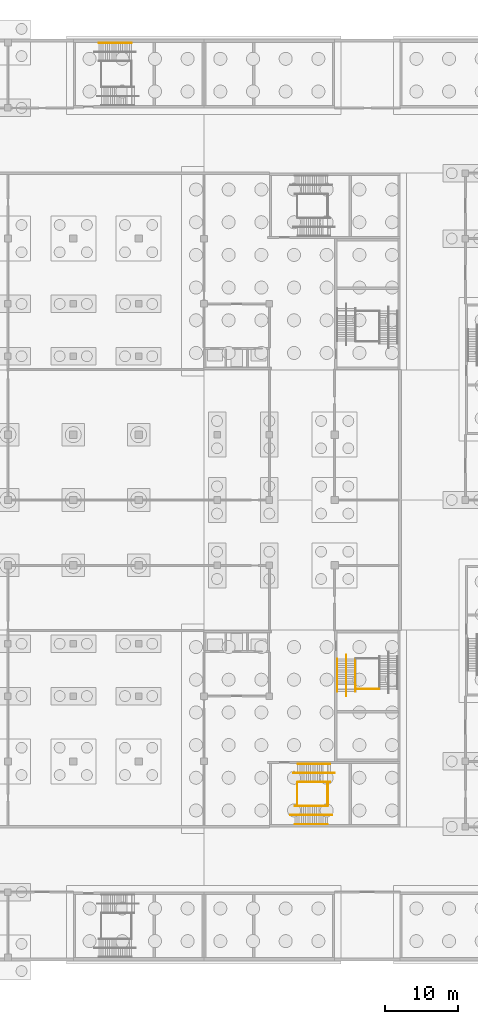
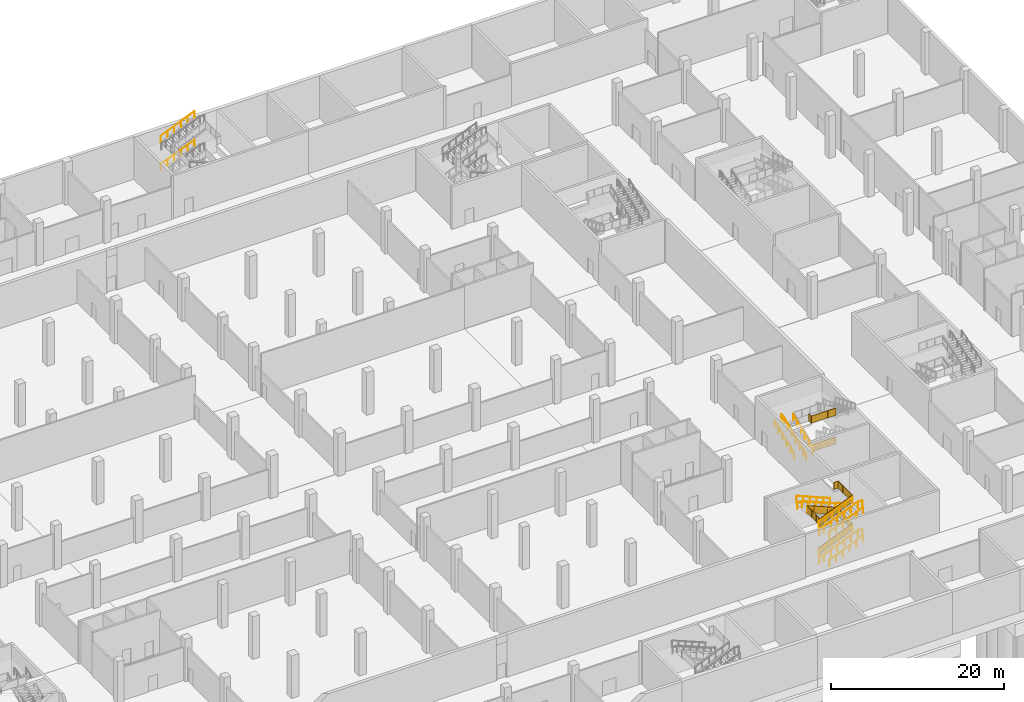
# One storey, part 35 of 42: 22 railings.
"""IFC4 building model written with IfcOpenShell, lengths in metres."""

from ifc_helpers import new_model, si_unit, direction, frame, origin, origin_2d, place, context, subcontext, project, spatial, polyline, circle, outline, extrude, material, type_object, element, save


model = new_model("IFC4")

# Units and contexts
model_context = context("Model", 3, precision=1e-05, world=origin(), true_north=direction((0.0, 1.0)))
body_context = subcontext(model_context, "Body", "Model", "MODEL_VIEW")
ifc_project = project(units=[si_unit("LENGTHUNIT", "METRE"), si_unit("AREAUNIT", "SQUARE_METRE"), si_unit("VOLUMEUNIT", "CUBIC_METRE"), si_unit("PLANEANGLEUNIT", "RADIAN"), si_unit("MASSUNIT", "GRAM", prefix="KILO")], contexts=[model_context])

# Site, building, storey
site_placement = place(None, origin())
site = spatial("IfcSite", under=ifc_project, at=site_placement, CompositionType="ELEMENT")
building_placement = place(site_placement, origin())
building = spatial("IfcBuilding", under=site, at=building_placement, Name="Silverbay Arena", CompositionType="ELEMENT")
storey_placement = place(building_placement, frame((0.0, 0.0, -6.0)))
storey = spatial("IfcBuildingStorey", under=building, at=storey_placement, Name="B1", CompositionType="ELEMENT", Elevation=-6.0)

# Railings
ifc_material_1 = material(Name="Stainless steel", Category="steel")
railing_type_1 = type_object("IfcRailingType", Name="Stair guard 1100", PredefinedType="GUARDRAIL", material=ifc_material_1)
railing_1_placement = place(storey_placement, frame((174.510009765625, 38.875, 0.125)))
element("IfcRailing", 1, at=railing_1_placement, inside=storey, type_object=railing_type_1, Name="Stair ST-SE1 B1 to L00 flight 1 guard left", PredefinedType="GUARDRAIL", context=body_context, shape_type="SweptSolid", body=[
    extrude(circle(Radius=0.02392578125, at=origin_2d()), frame((0.0, 0.0, 1.076171875), z_axis=(0.923076923077, 0.0, 0.384615384615), x_axis=(0.0, 1.0, 0.0)), (0.0, 0.0, 1.0), 4.875),
    extrude(outline(polyline([(-0.008056640625, 0.046630859375), (0.907958984375, 0.42822265625), (0.907958984375, 1.431396484375), (-0.008056640625, 1.049560546875), (-0.008056640625, 0.046630859375)])), frame((0.0, 0.0029296875, 0.0), z_axis=(0.0, -1.0, 0.0), x_axis=(1.0, 0.0, 0.0)), (0.0, 0.0, 1.0), 0.006103515625),
    extrude(outline(polyline([(-0.008056640625, 0.421630859375), (0.907958984375, 0.80322265625), (0.907958984375, 1.806396484375), (-0.008056640625, 1.424560546875), (-0.008056640625, 0.421630859375)])), frame((0.89990234375, 0.0029296875, 0.0), z_axis=(0.0, -1.0, 0.0), x_axis=(1.0, 0.0, 0.0)), (0.0, 0.0, 1.0), 0.006103515625),
    extrude(outline(polyline([(-0.008056640625, 0.796630859375), (0.907958984375, 1.17822265625), (0.907958984375, 2.181396484375), (-0.008056640625, 1.799560546875), (-0.008056640625, 0.796630859375)])), frame((1.800048828125, 0.0029296875, 0.0), z_axis=(0.0, -1.0, 0.0), x_axis=(1.0, 0.0, 0.0)), (0.0, 0.0, 1.0), 0.006103515625),
    extrude(outline(polyline([(-0.008056640625, 1.171630859375), (0.907958984375, 1.55322265625), (0.907958984375, 2.556396484375), (-0.008056640625, 2.174560546875), (-0.008056640625, 1.171630859375)])), frame((2.699951171875, 0.0029296875, 0.0), z_axis=(0.0, -1.0, 0.0), x_axis=(1.0, 0.0, 0.0)), (0.0, 0.0, 1.0), 0.006103515625),
    extrude(outline(polyline([(-0.008056640625, 1.546630859375), (0.907958984375, 1.92822265625), (0.907958984375, 2.931396484375), (-0.008056640625, 2.549560546875), (-0.008056640625, 1.546630859375)])), frame((3.60009765625, 0.0029296875, 0.0), z_axis=(0.0, -1.0, 0.0), x_axis=(1.0, 0.0, 0.0)), (0.0, 0.0, 1.0), 0.006103515625),
    extrude(circle(Radius=0.02099609375, at=origin_2d()), origin(), (0.0, 0.0, 1.0), 1.052001953125),
    extrude(circle(Radius=0.02099609375, at=origin_2d()), frame((0.89990234375, 0.0, 0.375)), (0.0, 0.0, 1.0), 1.052001953125),
    extrude(circle(Radius=0.02099609375, at=origin_2d()), frame((1.800048828125, 0.0, 0.75)), (0.0, 0.0, 1.0), 1.052001953125),
    extrude(circle(Radius=0.02099609375, at=origin_2d()), frame((2.699951171875, 0.0, 1.125)), (0.0, 0.0, 1.0), 1.052001953125),
    extrude(circle(Radius=0.02099609375, at=origin_2d()), frame((3.60009765625, 0.0, 1.5)), (0.0, 0.0, 1.0), 1.052001953125),
    extrude(circle(Radius=0.02099609375, at=origin_2d()), frame((4.5, 0.0, 1.875)), (0.0, 0.0, 1.0), 1.052001953125),
])
railing_2_placement = place(storey_placement, frame((179.39990234375, 42.125, 2.125)))
element("IfcRailing", 2, at=railing_2_placement, inside=storey, type_object=railing_type_1, Name="Stair ST-SE1 B1 to L00 flight 2 guard right", PredefinedType="GUARDRAIL", context=body_context, shape_type="SweptSolid", body=[
    extrude(circle(Radius=0.02392578125, at=origin_2d()), frame((0.0, 0.0, 1.076171875), z_axis=(-0.923076923077, 0.0, 0.384615384615), x_axis=(0.0, -1.0, 0.0)), (0.0, 0.0, 1.0), 4.875),
    extrude(outline(polyline([(-0.008056640625, 0.046630859375), (0.907958984375, 0.42822265625), (0.907958984375, 1.431396484375), (-0.008056640625, 1.049560546875), (-0.008056640625, 0.046630859375)])), frame((0.0, -0.0029296875, 0.0), z_axis=(0.0, 1.0, 0.0), x_axis=(-1.0, 0.0, 0.0)), (0.0, 0.0, 1.0), 0.006103515625),
    extrude(outline(polyline([(-0.008056640625, 0.421630859375), (0.907958984375, 0.80322265625), (0.907958984375, 1.806396484375), (-0.008056640625, 1.424560546875), (-0.008056640625, 0.421630859375)])), frame((-0.89990234375, -0.0029296875, 0.0), z_axis=(0.0, 1.0, 0.0), x_axis=(-1.0, 0.0, 0.0)), (0.0, 0.0, 1.0), 0.006103515625),
    extrude(outline(polyline([(-0.008056640625, 0.796630859375), (0.907958984375, 1.17822265625), (0.907958984375, 2.181396484375), (-0.008056640625, 1.799560546875), (-0.008056640625, 0.796630859375)])), frame((-1.800048828125, -0.0029296875, 0.0), z_axis=(0.0, 1.0, 0.0), x_axis=(-1.0, 0.0, 0.0)), (0.0, 0.0, 1.0), 0.006103515625),
    extrude(outline(polyline([(-0.008056640625, 1.171630859375), (0.907958984375, 1.55322265625), (0.907958984375, 2.556396484375), (-0.008056640625, 2.174560546875), (-0.008056640625, 1.171630859375)])), frame((-2.699951171875, -0.0029296875, 0.0), z_axis=(0.0, 1.0, 0.0), x_axis=(-1.0, 0.0, 0.0)), (0.0, 0.0, 1.0), 0.006103515625),
    extrude(outline(polyline([(-0.008056640625, 1.546630859375), (0.907958984375, 1.92822265625), (0.907958984375, 2.931396484375), (-0.008056640625, 2.549560546875), (-0.008056640625, 1.546630859375)])), frame((-3.60009765625, -0.0029296875, 0.0), z_axis=(0.0, 1.0, 0.0), x_axis=(-1.0, 0.0, 0.0)), (0.0, 0.0, 1.0), 0.006103515625),
    extrude(circle(Radius=0.02099609375, at=origin_2d()), origin(), (0.0, 0.0, 1.0), 1.052001953125),
    extrude(circle(Radius=0.02099609375, at=origin_2d()), frame((-0.89990234375, 0.0, 0.375)), (0.0, 0.0, 1.0), 1.052001953125),
    extrude(circle(Radius=0.02099609375, at=origin_2d()), frame((-1.800048828125, 0.0, 0.75)), (0.0, 0.0, 1.0), 1.052001953125),
    extrude(circle(Radius=0.02099609375, at=origin_2d()), frame((-2.699951171875, 0.0, 1.125)), (0.0, 0.0, 1.0), 1.052001953125),
    extrude(circle(Radius=0.02099609375, at=origin_2d()), frame((-3.60009765625, 0.0, 1.5)), (0.0, 0.0, 1.0), 1.052001953125),
    extrude(circle(Radius=0.02099609375, at=origin_2d()), frame((-4.5, 0.0, 1.875)), (0.0, 0.0, 1.0), 1.052001953125),
])
railing_3_placement = place(storey_placement, frame((174.510009765625, 38.875, 4.125)))
element("IfcRailing", 3, at=railing_3_placement, inside=storey, type_object=railing_type_1, Name="Stair ST-SE1 B1 to L00 flight 3 guard left", PredefinedType="GUARDRAIL", context=body_context, shape_type="SweptSolid", body=[
    extrude(circle(Radius=0.02392578125, at=origin_2d()), frame((0.0, 0.0, 1.076171875), z_axis=(0.923076923077, 0.0, 0.384615384615), x_axis=(0.0, 1.0, 0.0)), (0.0, 0.0, 1.0), 4.875),
    extrude(outline(polyline([(-0.008056640625, 0.046630859375), (0.907958984375, 0.42822265625), (0.907958984375, 1.431396484375), (-0.008056640625, 1.049560546875), (-0.008056640625, 0.046630859375)])), frame((0.0, 0.0029296875, 0.0), z_axis=(0.0, -1.0, 0.0), x_axis=(1.0, 0.0, 0.0)), (0.0, 0.0, 1.0), 0.006103515625),
    extrude(outline(polyline([(-0.008056640625, 0.421630859375), (0.907958984375, 0.80322265625), (0.907958984375, 1.806396484375), (-0.008056640625, 1.424560546875), (-0.008056640625, 0.421630859375)])), frame((0.89990234375, 0.0029296875, 0.0), z_axis=(0.0, -1.0, 0.0), x_axis=(1.0, 0.0, 0.0)), (0.0, 0.0, 1.0), 0.006103515625),
    extrude(outline(polyline([(-0.008056640625, 0.796630859375), (0.907958984375, 1.17822265625), (0.907958984375, 2.181396484375), (-0.008056640625, 1.799560546875), (-0.008056640625, 0.796630859375)])), frame((1.800048828125, 0.0029296875, 0.0), z_axis=(0.0, -1.0, 0.0), x_axis=(1.0, 0.0, 0.0)), (0.0, 0.0, 1.0), 0.006103515625),
    extrude(outline(polyline([(-0.008056640625, 1.171630859375), (0.907958984375, 1.55322265625), (0.907958984375, 2.556396484375), (-0.008056640625, 2.174560546875), (-0.008056640625, 1.171630859375)])), frame((2.699951171875, 0.0029296875, 0.0), z_axis=(0.0, -1.0, 0.0), x_axis=(1.0, 0.0, 0.0)), (0.0, 0.0, 1.0), 0.006103515625),
    extrude(outline(polyline([(-0.008056640625, 1.546630859375), (0.907958984375, 1.92822265625), (0.907958984375, 2.931396484375), (-0.008056640625, 2.549560546875), (-0.008056640625, 1.546630859375)])), frame((3.60009765625, 0.0029296875, 0.0), z_axis=(0.0, -1.0, 0.0), x_axis=(1.0, 0.0, 0.0)), (0.0, 0.0, 1.0), 0.006103515625),
    extrude(circle(Radius=0.02099609375, at=origin_2d()), origin(), (0.0, 0.0, 1.0), 1.052001953125),
    extrude(circle(Radius=0.02099609375, at=origin_2d()), frame((0.89990234375, 0.0, 0.375)), (0.0, 0.0, 1.0), 1.052001953125),
    extrude(circle(Radius=0.02099609375, at=origin_2d()), frame((1.800048828125, 0.0, 0.75)), (0.0, 0.0, 1.0), 1.052001953125),
    extrude(circle(Radius=0.02099609375, at=origin_2d()), frame((2.699951171875, 0.0, 1.125)), (0.0, 0.0, 1.0), 1.052001953125),
    extrude(circle(Radius=0.02099609375, at=origin_2d()), frame((3.60009765625, 0.0, 1.5)), (0.0, 0.0, 1.0), 1.052001953125),
    extrude(circle(Radius=0.02099609375, at=origin_2d()), frame((4.5, 0.0, 1.875)), (0.0, 0.0, 1.0), 1.052001953125),
])
for number, where, name in (
    (4, (179.06005859375, 42.10009765625, 2.0), "Stair ST-SE1 B1 to L00 landing 1 guard"),
    (5, (174.85009765625, 42.10009765625, 4.0), "Stair ST-SE1 B1 to L00 landing 2 guard"),
):
    element("IfcRailing", number, at=place(storey_placement, frame(where)), inside=storey, type_object=railing_type_1, Name=name, PredefinedType="GUARDRAIL", context=body_context, shape_type="SweptSolid", body=[
        extrude(circle(Radius=0.02392578125, at=origin_2d()), frame((0.0, 0.0, 1.076171875), z_axis=(0.0, -1.0, 0.0), x_axis=(1.0, 0.0, 0.0)), (0.0, 0.0, 1.0), 3.2001953125),
        extrude(outline(polyline([(-0.008056640625, 0.050048828125), (1.07470703125, 0.050048828125), (1.07470703125, 1.052978515625), (-0.008056640625, 1.052978515625), (-0.008056640625, 0.050048828125)])), frame((0.0029296875, 0.0, 0.0), z_axis=(-1.0, 0.0, 0.0), x_axis=(0.0, -1.0, 0.0)), (0.0, 0.0, 1.0), 0.006103515625),
        extrude(outline(polyline([(-0.008056640625, 0.050048828125), (1.07470703125, 0.050048828125), (1.07470703125, 1.052978515625), (-0.008056640625, 1.052978515625), (-0.008056640625, 0.050048828125)])), frame((0.0029296875, -1.066650390625, 0.0), z_axis=(-1.0, 0.0, 0.0), x_axis=(0.0, -1.0, 0.0)), (0.0, 0.0, 1.0), 0.006103515625),
        extrude(outline(polyline([(-0.008056640625, 0.050048828125), (1.07470703125, 0.050048828125), (1.07470703125, 1.052978515625), (-0.008056640625, 1.052978515625), (-0.008056640625, 0.050048828125)])), frame((0.0029296875, -2.133544921875, 0.0), z_axis=(-1.0, 0.0, 0.0), x_axis=(0.0, -1.0, 0.0)), (0.0, 0.0, 1.0), 0.006103515625),
        extrude(circle(Radius=0.02099609375, at=origin_2d()), origin(), (0.0, 0.0, 1.0), 1.052001953125),
        extrude(circle(Radius=0.02099609375, at=origin_2d()), frame((0.0, -1.066650390625, 0.0)), (0.0, 0.0, 1.0), 1.052001953125),
        extrude(circle(Radius=0.02099609375, at=origin_2d()), frame((0.0, -2.133544921875, 0.0)), (0.0, 0.0, 1.0), 1.052001953125),
        extrude(circle(Radius=0.02099609375, at=origin_2d()), frame((0.0, -3.2001953125, 0.0)), (0.0, 0.0, 1.0), 1.052001953125),
    ])
railing_4_placement = place(storey_placement, frame((178.449951171875, 42.14990234375, 6.0)))
element("IfcRailing", 6, at=railing_4_placement, inside=storey, type_object=railing_type_1, Name="Stair ST-SE1 B1 to L00 landing 3 guard", PredefinedType="GUARDRAIL", context=body_context, shape_type="SweptSolid", body=[
    extrude(circle(Radius=0.02392578125, at=origin_2d()), frame((0.0, 0.0, 1.076171875), z_axis=(1.0, 0.0, 0.0), x_axis=(0.0, 1.0, 0.0)), (0.0, 0.0, 1.0), 0.56005859375),
    extrude(outline(polyline([(-0.008056640625, 0.050048828125), (0.568115234375, 0.050048828125), (0.568115234375, 1.052978515625), (-0.008056640625, 1.052978515625), (-0.008056640625, 0.050048828125)])), frame((0.0, 0.0029296875, 0.0), z_axis=(0.0, -1.0, 0.0), x_axis=(1.0, 0.0, 0.0)), (0.0, 0.0, 1.0), 0.006103515625),
    extrude(circle(Radius=0.02392578125, at=origin_2d()), frame((0.56005859375, 0.0, 1.076171875), z_axis=(0.0, -1.0, 0.0), x_axis=(1.0, 0.0, 0.0)), (0.0, 0.0, 1.0), 3.25),
    extrude(outline(polyline([(-0.008056640625, 0.050048828125), (1.09130859375, 0.050048828125), (1.09130859375, 1.052978515625), (-0.008056640625, 1.052978515625), (-0.008056640625, 0.050048828125)])), frame((0.56298828125, 0.0, 0.0), z_axis=(-1.0, 0.0, 0.0), x_axis=(0.0, -1.0, 0.0)), (0.0, 0.0, 1.0), 0.006103515625),
    extrude(outline(polyline([(-0.008056640625, 0.050048828125), (1.09130859375, 0.050048828125), (1.09130859375, 1.052978515625), (-0.008056640625, 1.052978515625), (-0.008056640625, 0.050048828125)])), frame((0.56298828125, -1.083251953125, 0.0), z_axis=(-1.0, 0.0, 0.0), x_axis=(0.0, -1.0, 0.0)), (0.0, 0.0, 1.0), 0.006103515625),
    extrude(outline(polyline([(-0.008056640625, 0.050048828125), (1.09130859375, 0.050048828125), (1.09130859375, 1.052978515625), (-0.008056640625, 1.052978515625), (-0.008056640625, 0.050048828125)])), frame((0.56298828125, -2.166748046875, 0.0), z_axis=(-1.0, 0.0, 0.0), x_axis=(0.0, -1.0, 0.0)), (0.0, 0.0, 1.0), 0.006103515625),
    extrude(circle(Radius=0.02099609375, at=origin_2d()), origin(), (0.0, 0.0, 1.0), 1.052001953125),
    extrude(circle(Radius=0.02099609375, at=origin_2d()), frame((0.56005859375, 0.0, 0.0)), (0.0, 0.0, 1.0), 1.052001953125),
    extrude(circle(Radius=0.02099609375, at=origin_2d()), frame((0.56005859375, -1.083251953125, 0.0)), (0.0, 0.0, 1.0), 1.052001953125),
    extrude(circle(Radius=0.02099609375, at=origin_2d()), frame((0.56005859375, -2.166748046875, 0.0)), (0.0, 0.0, 1.0), 1.052001953125),
    extrude(circle(Radius=0.02099609375, at=origin_2d()), frame((0.56005859375, -3.25, 0.0)), (0.0, 0.0, 1.0), 1.052001953125),
])
railing_5_placement = place(storey_placement, frame((182.89990234375, 54.93994140625, 2.0)))
element("IfcRailing", 7, at=railing_5_placement, inside=storey, type_object=railing_type_1, Name="Stair ST-SE2 B1 to L00 landing 1 guard", PredefinedType="GUARDRAIL", context=body_context, shape_type="SweptSolid", body=[
    extrude(circle(Radius=0.02392578125, at=origin_2d()), frame((0.0, 0.0, 1.076171875), z_axis=(1.0, 0.0, 0.0), x_axis=(0.0, 1.0, 0.0)), (0.0, 0.0, 1.0), 3.2001953125),
    extrude(outline(polyline([(-0.008056640625, 0.050048828125), (1.07470703125, 0.050048828125), (1.07470703125, 1.052978515625), (-0.008056640625, 1.052978515625), (-0.008056640625, 0.050048828125)])), frame((0.0, 0.0029296875, 0.0), z_axis=(0.0, -1.0, 0.0), x_axis=(1.0, 0.0, 0.0)), (0.0, 0.0, 1.0), 0.006103515625),
    extrude(outline(polyline([(-0.008056640625, 0.050048828125), (1.07470703125, 0.050048828125), (1.07470703125, 1.052978515625), (-0.008056640625, 1.052978515625), (-0.008056640625, 0.050048828125)])), frame((1.066650390625, 0.0029296875, 0.0), z_axis=(0.0, -1.0, 0.0), x_axis=(1.0, 0.0, 0.0)), (0.0, 0.0, 1.0), 0.006103515625),
    extrude(outline(polyline([(-0.008056640625, 0.050048828125), (1.07470703125, 0.050048828125), (1.07470703125, 1.052978515625), (-0.008056640625, 1.052978515625), (-0.008056640625, 0.050048828125)])), frame((2.133544921875, 0.0029296875, 0.0), z_axis=(0.0, -1.0, 0.0), x_axis=(1.0, 0.0, 0.0)), (0.0, 0.0, 1.0), 0.006103515625),
    extrude(circle(Radius=0.02099609375, at=origin_2d()), origin(), (0.0, 0.0, 1.0), 1.052001953125),
    extrude(circle(Radius=0.02099609375, at=origin_2d()), frame((1.066650390625, 0.0, 0.0)), (0.0, 0.0, 1.0), 1.052001953125),
    extrude(circle(Radius=0.02099609375, at=origin_2d()), frame((2.133544921875, 0.0, 0.0)), (0.0, 0.0, 1.0), 1.052001953125),
    extrude(circle(Radius=0.02099609375, at=origin_2d()), frame((3.2001953125, 0.0, 0.0)), (0.0, 0.0, 1.0), 1.052001953125),
])
railing_6_placement = place(storey_placement, frame((182.85009765625, 55.550048828125, 6.0)))
element("IfcRailing", 8, at=railing_6_placement, inside=storey, type_object=railing_type_1, Name="Stair ST-SE2 B1 to L00 landing 3 guard", PredefinedType="GUARDRAIL", context=body_context, shape_type="SweptSolid", body=[
    extrude(circle(Radius=0.02392578125, at=origin_2d()), frame((0.0, 0.0, 1.076171875), z_axis=(0.0, -1.0, 0.0), x_axis=(1.0, 0.0, 0.0)), (0.0, 0.0, 1.0), 0.56005859375),
    extrude(outline(polyline([(-0.008056640625, 0.050048828125), (0.568115234375, 0.050048828125), (0.568115234375, 1.052978515625), (-0.008056640625, 1.052978515625), (-0.008056640625, 0.050048828125)])), frame((0.0029296875, 0.0, 0.0), z_axis=(-1.0, 0.0, 0.0), x_axis=(0.0, -1.0, 0.0)), (0.0, 0.0, 1.0), 0.006103515625),
    extrude(circle(Radius=0.02392578125, at=origin_2d()), frame((0.0, -0.56005859375, 1.076171875), z_axis=(1.0, 0.0, 0.0), x_axis=(0.0, 1.0, 0.0)), (0.0, 0.0, 1.0), 3.25),
    extrude(outline(polyline([(-0.008056640625, 0.050048828125), (1.09130859375, 0.050048828125), (1.09130859375, 1.052978515625), (-0.008056640625, 1.052978515625), (-0.008056640625, 0.050048828125)])), frame((0.0, -0.55712890625, 0.0), z_axis=(0.0, -1.0, 0.0), x_axis=(1.0, 0.0, 0.0)), (0.0, 0.0, 1.0), 0.006103515625),
    extrude(outline(polyline([(-0.008056640625, 0.050048828125), (1.09130859375, 0.050048828125), (1.09130859375, 1.052978515625), (-0.008056640625, 1.052978515625), (-0.008056640625, 0.050048828125)])), frame((1.083251953125, -0.55712890625, 0.0), z_axis=(0.0, -1.0, 0.0), x_axis=(1.0, 0.0, 0.0)), (0.0, 0.0, 1.0), 0.006103515625),
    extrude(outline(polyline([(-0.008056640625, 0.050048828125), (1.09130859375, 0.050048828125), (1.09130859375, 1.052978515625), (-0.008056640625, 1.052978515625), (-0.008056640625, 0.050048828125)])), frame((2.166748046875, -0.55712890625, 0.0), z_axis=(0.0, -1.0, 0.0), x_axis=(1.0, 0.0, 0.0)), (0.0, 0.0, 1.0), 0.006103515625),
    extrude(circle(Radius=0.02099609375, at=origin_2d()), origin(), (0.0, 0.0, 1.0), 1.052001953125),
    extrude(circle(Radius=0.02099609375, at=origin_2d()), frame((0.0, -0.56005859375, 0.0)), (0.0, 0.0, 1.0), 1.052001953125),
    extrude(circle(Radius=0.02099609375, at=origin_2d()), frame((1.083251953125, -0.56005859375, 0.0)), (0.0, 0.0, 1.0), 1.052001953125),
    extrude(circle(Radius=0.02099609375, at=origin_2d()), frame((2.166748046875, -0.56005859375, 0.0)), (0.0, 0.0, 1.0), 1.052001953125),
    extrude(circle(Radius=0.02099609375, at=origin_2d()), frame((3.25, -0.56005859375, 0.0)), (0.0, 0.0, 1.0), 1.052001953125),
])
ifc_material_2 = material(Name="Stainless steel", Category="steel")
railing_type_2 = type_object("IfcRailingType", Name="Stair handrail 900", PredefinedType="HANDRAIL", material=ifc_material_2)
for number, where, name in (
    (9, (147.510009765625, 143.949951171875, 0.125), "Stair ST-N3 B1 to L00 flight 1 handrail right"),
    (10, (147.510009765625, 143.949951171875, 4.125), "Stair ST-N3 B1 to L00 flight 3 handrail right"),
    (11, (174.510009765625, 38.8359375, 0.125), "Stair ST-SE1 B1 to L00 flight 1 handrail left"),
    (12, (174.510009765625, 36.35009765625, 0.125), "Stair ST-SE1 B1 to L00 flight 1 handrail right"),
):
    element("IfcRailing", number, at=place(storey_placement, frame(where)), inside=storey, type_object=railing_type_2, Name=name, PredefinedType="HANDRAIL", context=body_context, shape_type="SweptSolid", body=[
        extrude(circle(Radius=0.02392578125, at=origin_2d()), frame((0.0, 0.0, 0.8759765625), z_axis=(0.923076923077, 0.0, 0.384615384615), x_axis=(0.0, 1.0, 0.0)), (0.0, 0.0, 1.0), 4.875),
        extrude(circle(Radius=0.02099609375, at=origin_2d()), origin(), (0.0, 0.0, 1.0), 0.851806640625),
        extrude(circle(Radius=0.02099609375, at=origin_2d()), frame((0.89990234375, 0.0, 0.375)), (0.0, 0.0, 1.0), 0.851806640625),
        extrude(circle(Radius=0.02099609375, at=origin_2d()), frame((1.800048828125, 0.0, 0.75)), (0.0, 0.0, 1.0), 0.851806640625),
        extrude(circle(Radius=0.02099609375, at=origin_2d()), frame((2.699951171875, 0.0, 1.125)), (0.0, 0.0, 1.0), 0.851806640625),
        extrude(circle(Radius=0.02099609375, at=origin_2d()), frame((3.60009765625, 0.0, 1.5)), (0.0, 0.0, 1.0), 0.851806640625),
        extrude(circle(Radius=0.02099609375, at=origin_2d()), frame((4.5, 0.0, 1.875)), (0.0, 0.0, 1.0), 0.851806640625),
    ])
railing_7_placement = place(storey_placement, frame((173.909912109375, 37.60009765625, 0.0)))
element("IfcRailing", 13, at=railing_7_placement, inside=storey, type_object=railing_type_2, Name="Stair ST-SE1 B1 to L00 flight 1 central handrail", PredefinedType="HANDRAIL", context=body_context, shape_type="SweptSolid", body=[
    extrude(circle(Radius=0.02392578125, at=origin_2d()), frame((0.0, 0.0, 0.8759765625), z_axis=(0.978987046276, 0.0, 0.203922444139), x_axis=(0.0, 1.0, 0.0)), (0.0, 0.0, 1.0), 0.613037109375),
    extrude(circle(Radius=0.02392578125, at=origin_2d()), frame((0.60009765625, 0.0, 1.0009765625), z_axis=(0.923076923077, 0.0, 0.384615384615), x_axis=(0.0, 1.0, 0.0)), (0.0, 0.0, 1.0), 4.875),
    extrude(circle(Radius=0.02392578125, at=origin_2d()), frame((5.10009765625, 0.0, 2.8759765625), z_axis=(1.0, 0.0, 0.0), x_axis=(0.0, 1.0, 0.0)), (0.0, 0.0, 1.0), 0.60009765625),
    extrude(circle(Radius=0.02099609375, at=origin_2d()), origin(), (0.0, 0.0, 1.0), 0.851806640625),
    extrude(circle(Radius=0.02099609375, at=origin_2d()), frame((0.60009765625, 0.0, 0.125)), (0.0, 0.0, 1.0), 0.851806640625),
    extrude(circle(Radius=0.02099609375, at=origin_2d()), frame((1.5, 0.0, 0.5)), (0.0, 0.0, 1.0), 0.851806640625),
    extrude(circle(Radius=0.02099609375, at=origin_2d()), frame((2.400146484375, 0.0, 0.875)), (0.0, 0.0, 1.0), 0.851806640625),
    extrude(circle(Radius=0.02099609375, at=origin_2d()), frame((3.300048828125, 0.0, 1.25)), (0.0, 0.0, 1.0), 0.851806640625),
    extrude(circle(Radius=0.02099609375, at=origin_2d()), frame((4.2001953125, 0.0, 1.625)), (0.0, 0.0, 1.0), 0.851806640625),
    extrude(circle(Radius=0.02099609375, at=origin_2d()), frame((5.10009765625, 0.0, 2.0)), (0.0, 0.0, 1.0), 0.851806640625),
    extrude(circle(Radius=0.02099609375, at=origin_2d()), frame((5.7001953125, 0.0, 2.0)), (0.0, 0.0, 1.0), 0.851806640625),
])
for number, where, name in (
    (14, (179.39990234375, 44.64990234375, 2.125), "Stair ST-SE1 B1 to L00 flight 2 handrail left"),
    (15, (179.39990234375, 42.1640625, 2.125), "Stair ST-SE1 B1 to L00 flight 2 handrail right"),
):
    element("IfcRailing", number, at=place(storey_placement, frame(where)), inside=storey, type_object=railing_type_2, Name=name, PredefinedType="HANDRAIL", context=body_context, shape_type="SweptSolid", body=[
        extrude(circle(Radius=0.02392578125, at=origin_2d()), frame((0.0, 0.0, 0.8759765625), z_axis=(-0.923076923077, 0.0, 0.384615384615), x_axis=(0.0, -1.0, 0.0)), (0.0, 0.0, 1.0), 4.875),
        extrude(circle(Radius=0.02099609375, at=origin_2d()), origin(), (0.0, 0.0, 1.0), 0.851806640625),
        extrude(circle(Radius=0.02099609375, at=origin_2d()), frame((-0.89990234375, 0.0, 0.375)), (0.0, 0.0, 1.0), 0.851806640625),
        extrude(circle(Radius=0.02099609375, at=origin_2d()), frame((-1.800048828125, 0.0, 0.75)), (0.0, 0.0, 1.0), 0.851806640625),
        extrude(circle(Radius=0.02099609375, at=origin_2d()), frame((-2.699951171875, 0.0, 1.125)), (0.0, 0.0, 1.0), 0.851806640625),
        extrude(circle(Radius=0.02099609375, at=origin_2d()), frame((-3.60009765625, 0.0, 1.5)), (0.0, 0.0, 1.0), 0.851806640625),
        extrude(circle(Radius=0.02099609375, at=origin_2d()), frame((-4.5, 0.0, 1.875)), (0.0, 0.0, 1.0), 0.851806640625),
    ])
railing_8_placement = place(storey_placement, frame((180.0, 43.39990234375, 2.0)))
element("IfcRailing", 16, at=railing_8_placement, inside=storey, type_object=railing_type_2, Name="Stair ST-SE1 B1 to L00 flight 2 central handrail", PredefinedType="HANDRAIL", context=body_context, shape_type="SweptSolid", body=[
    extrude(circle(Radius=0.02392578125, at=origin_2d()), frame((0.0, 0.0, 0.8759765625), z_axis=(-0.978987046276, 0.0, 0.203922444139), x_axis=(0.0, -1.0, 0.0)), (0.0, 0.0, 1.0), 0.613037109375),
    extrude(circle(Radius=0.02392578125, at=origin_2d()), frame((-0.60009765625, 0.0, 1.0009765625), z_axis=(-0.923076923077, 0.0, 0.384615384615), x_axis=(0.0, -1.0, 0.0)), (0.0, 0.0, 1.0), 4.875),
    extrude(circle(Radius=0.02392578125, at=origin_2d()), frame((-5.10009765625, 0.0, 2.8759765625), z_axis=(-1.0, 0.0, 0.0), x_axis=(0.0, -1.0, 0.0)), (0.0, 0.0, 1.0), 0.599853515625),
    extrude(circle(Radius=0.02099609375, at=origin_2d()), origin(), (0.0, 0.0, 1.0), 0.851806640625),
    extrude(circle(Radius=0.02099609375, at=origin_2d()), frame((-0.60009765625, 0.0, 0.125)), (0.0, 0.0, 1.0), 0.851806640625),
    extrude(circle(Radius=0.02099609375, at=origin_2d()), frame((-1.5, 0.0, 0.5)), (0.0, 0.0, 1.0), 0.851806640625),
    extrude(circle(Radius=0.02099609375, at=origin_2d()), frame((-2.400146484375, 0.0, 0.875)), (0.0, 0.0, 1.0), 0.851806640625),
    extrude(circle(Radius=0.02099609375, at=origin_2d()), frame((-3.300048828125, 0.0, 1.25)), (0.0, 0.0, 1.0), 0.851806640625),
    extrude(circle(Radius=0.02099609375, at=origin_2d()), frame((-4.2001953125, 0.0, 1.625)), (0.0, 0.0, 1.0), 0.851806640625),
    extrude(circle(Radius=0.02099609375, at=origin_2d()), frame((-5.10009765625, 0.0, 2.0)), (0.0, 0.0, 1.0), 0.851806640625),
    extrude(circle(Radius=0.02099609375, at=origin_2d()), frame((-5.699951171875, 0.0, 2.0)), (0.0, 0.0, 1.0), 0.851806640625),
])
for number, where, name in (
    (17, (174.510009765625, 38.8359375, 4.125), "Stair ST-SE1 B1 to L00 flight 3 handrail left"),
    (18, (174.510009765625, 36.35009765625, 4.125), "Stair ST-SE1 B1 to L00 flight 3 handrail right"),
):
    element("IfcRailing", number, at=place(storey_placement, frame(where)), inside=storey, type_object=railing_type_2, Name=name, PredefinedType="HANDRAIL", context=body_context, shape_type="SweptSolid", body=[
        extrude(circle(Radius=0.02392578125, at=origin_2d()), frame((0.0, 0.0, 0.8759765625), z_axis=(0.923076923077, 0.0, 0.384615384615), x_axis=(0.0, 1.0, 0.0)), (0.0, 0.0, 1.0), 4.875),
        extrude(circle(Radius=0.02099609375, at=origin_2d()), origin(), (0.0, 0.0, 1.0), 0.851806640625),
        extrude(circle(Radius=0.02099609375, at=origin_2d()), frame((0.89990234375, 0.0, 0.375)), (0.0, 0.0, 1.0), 0.851806640625),
        extrude(circle(Radius=0.02099609375, at=origin_2d()), frame((1.800048828125, 0.0, 0.75)), (0.0, 0.0, 1.0), 0.851806640625),
        extrude(circle(Radius=0.02099609375, at=origin_2d()), frame((2.699951171875, 0.0, 1.125)), (0.0, 0.0, 1.0), 0.851806640625),
        extrude(circle(Radius=0.02099609375, at=origin_2d()), frame((3.60009765625, 0.0, 1.5)), (0.0, 0.0, 1.0), 0.851806640625),
        extrude(circle(Radius=0.02099609375, at=origin_2d()), frame((4.5, 0.0, 1.875)), (0.0, 0.0, 1.0), 0.851806640625),
    ])
railing_9_placement = place(storey_placement, frame((173.909912109375, 37.60009765625, 4.0)))
element("IfcRailing", 19, at=railing_9_placement, inside=storey, type_object=railing_type_2, Name="Stair ST-SE1 B1 to L00 flight 3 central handrail", PredefinedType="HANDRAIL", context=body_context, shape_type="SweptSolid", body=[
    extrude(circle(Radius=0.02392578125, at=origin_2d()), frame((0.0, 0.0, 0.8759765625), z_axis=(0.978987046276, 0.0, 0.203922444139), x_axis=(0.0, 1.0, 0.0)), (0.0, 0.0, 1.0), 0.613037109375),
    extrude(circle(Radius=0.02392578125, at=origin_2d()), frame((0.60009765625, 0.0, 1.0009765625), z_axis=(0.923076923077, 0.0, 0.384615384615), x_axis=(0.0, 1.0, 0.0)), (0.0, 0.0, 1.0), 4.875),
    extrude(circle(Radius=0.02392578125, at=origin_2d()), frame((5.10009765625, 0.0, 2.8759765625), z_axis=(1.0, 0.0, 0.0), x_axis=(0.0, 1.0, 0.0)), (0.0, 0.0, 1.0), 0.60009765625),
    extrude(circle(Radius=0.02099609375, at=origin_2d()), origin(), (0.0, 0.0, 1.0), 0.851806640625),
    extrude(circle(Radius=0.02099609375, at=origin_2d()), frame((0.60009765625, 0.0, 0.125)), (0.0, 0.0, 1.0), 0.851806640625),
    extrude(circle(Radius=0.02099609375, at=origin_2d()), frame((1.5, 0.0, 0.5)), (0.0, 0.0, 1.0), 0.851806640625),
    extrude(circle(Radius=0.02099609375, at=origin_2d()), frame((2.400146484375, 0.0, 0.875)), (0.0, 0.0, 1.0), 0.851806640625),
    extrude(circle(Radius=0.02099609375, at=origin_2d()), frame((3.300048828125, 0.0, 1.25)), (0.0, 0.0, 1.0), 0.851806640625),
    extrude(circle(Radius=0.02099609375, at=origin_2d()), frame((4.2001953125, 0.0, 1.625)), (0.0, 0.0, 1.0), 0.851806640625),
    extrude(circle(Radius=0.02099609375, at=origin_2d()), frame((5.10009765625, 0.0, 2.0)), (0.0, 0.0, 1.0), 0.851806640625),
    extrude(circle(Radius=0.02099609375, at=origin_2d()), frame((5.7001953125, 0.0, 2.0)), (0.0, 0.0, 1.0), 0.851806640625),
])
for number, where, name in (
    (20, (180.35009765625, 54.60009765625, 2.125), "Stair ST-SE2 B1 to L00 flight 2 handrail left"),
    (21, (182.8359375, 54.60009765625, 2.125), "Stair ST-SE2 B1 to L00 flight 2 handrail right"),
):
    element("IfcRailing", number, at=place(storey_placement, frame(where)), inside=storey, type_object=railing_type_2, Name=name, PredefinedType="HANDRAIL", context=body_context, shape_type="SweptSolid", body=[
        extrude(circle(Radius=0.02392578125, at=origin_2d()), frame((0.0, 0.0, 0.8759765625), z_axis=(0.0, 0.923076923077, 0.384615384615), x_axis=(-1.0, 0.0, 0.0)), (0.0, 0.0, 1.0), 4.875),
        extrude(circle(Radius=0.02099609375, at=origin_2d()), origin(), (0.0, 0.0, 1.0), 0.851806640625),
        extrude(circle(Radius=0.02099609375, at=origin_2d()), frame((0.0, 0.89990234375, 0.375)), (0.0, 0.0, 1.0), 0.851806640625),
        extrude(circle(Radius=0.02099609375, at=origin_2d()), frame((0.0, 1.800048828125, 0.75)), (0.0, 0.0, 1.0), 0.851806640625),
        extrude(circle(Radius=0.02099609375, at=origin_2d()), frame((0.0, 2.699951171875, 1.125)), (0.0, 0.0, 1.0), 0.851806640625),
        extrude(circle(Radius=0.02099609375, at=origin_2d()), frame((0.0, 3.60009765625, 1.5)), (0.0, 0.0, 1.0), 0.851806640625),
        extrude(circle(Radius=0.02099609375, at=origin_2d()), frame((0.0, 4.5, 1.875)), (0.0, 0.0, 1.0), 0.851806640625),
    ])
railing_10_placement = place(storey_placement, frame((181.60009765625, 54.0, 2.0)))
element("IfcRailing", 22, at=railing_10_placement, inside=storey, type_object=railing_type_2, Name="Stair ST-SE2 B1 to L00 flight 2 central handrail", PredefinedType="HANDRAIL", context=body_context, shape_type="SweptSolid", body=[
    extrude(circle(Radius=0.02392578125, at=origin_2d()), frame((0.0, 0.0, 0.8759765625), z_axis=(0.0, 0.978987046276, 0.203922444139), x_axis=(-1.0, 0.0, 0.0)), (0.0, 0.0, 1.0), 0.613037109375),
    extrude(circle(Radius=0.02392578125, at=origin_2d()), frame((0.0, 0.60009765625, 1.0009765625), z_axis=(0.0, 0.923076923077, 0.384615384615), x_axis=(-1.0, 0.0, 0.0)), (0.0, 0.0, 1.0), 4.875),
    extrude(circle(Radius=0.02392578125, at=origin_2d()), frame((0.0, 5.10009765625, 2.8759765625), z_axis=(0.0, 1.0, 0.0), x_axis=(-1.0, 0.0, 0.0)), (0.0, 0.0, 1.0), 0.599853515625),
    extrude(circle(Radius=0.02099609375, at=origin_2d()), origin(), (0.0, 0.0, 1.0), 0.851806640625),
    extrude(circle(Radius=0.02099609375, at=origin_2d()), frame((0.0, 0.60009765625, 0.125)), (0.0, 0.0, 1.0), 0.851806640625),
    extrude(circle(Radius=0.02099609375, at=origin_2d()), frame((0.0, 1.5, 0.5)), (0.0, 0.0, 1.0), 0.851806640625),
    extrude(circle(Radius=0.02099609375, at=origin_2d()), frame((0.0, 2.400146484375, 0.875)), (0.0, 0.0, 1.0), 0.851806640625),
    extrude(circle(Radius=0.02099609375, at=origin_2d()), frame((0.0, 3.300048828125, 1.25)), (0.0, 0.0, 1.0), 0.851806640625),
    extrude(circle(Radius=0.02099609375, at=origin_2d()), frame((0.0, 4.2001953125, 1.625)), (0.0, 0.0, 1.0), 0.851806640625),
    extrude(circle(Radius=0.02099609375, at=origin_2d()), frame((0.0, 5.10009765625, 2.0)), (0.0, 0.0, 1.0), 0.851806640625),
    extrude(circle(Radius=0.02099609375, at=origin_2d()), frame((0.0, 5.699951171875, 2.0)), (0.0, 0.0, 1.0), 0.851806640625),
])

save(model, "model.ifc")
